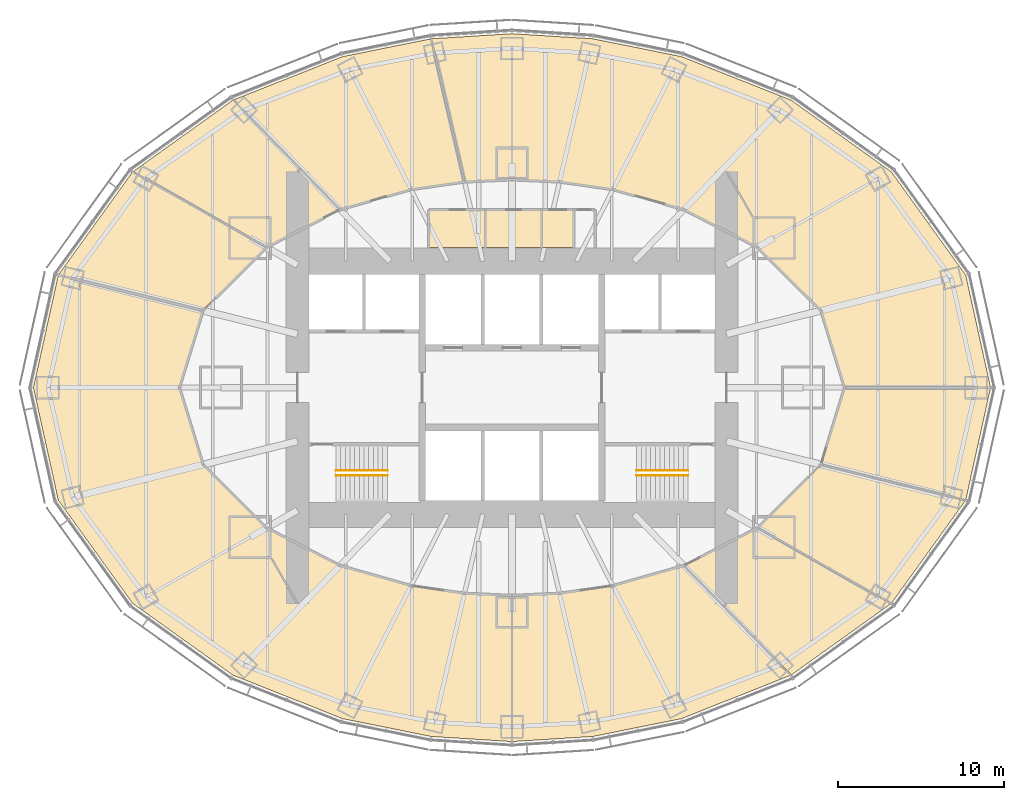
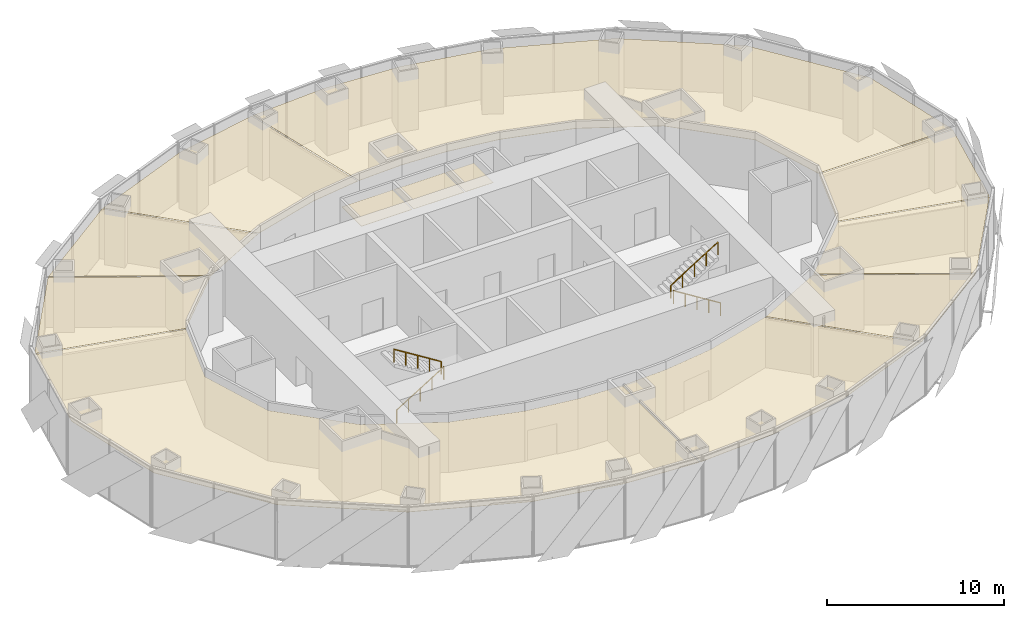
# One storey, part 18 of 18: 12 coverings, 4 railings.
"""IFC4 building model written with IfcOpenShell, lengths in metres."""

from ifc_helpers import new_model, si_unit, direction, frame, origin, origin_2d, place, context, subcontext, project, spatial, polyline, circle, outline, extrude, material, layer, layer_set, type_object, element, save


model = new_model("IFC4")

# Units and contexts
model_context = context("Model", 3, precision=1e-05, world=origin(), true_north=direction((0.0, 1.0)))
body_context = subcontext(model_context, "Body", "Model", "MODEL_VIEW")
ifc_project = project(units=[si_unit("LENGTHUNIT", "METRE"), si_unit("AREAUNIT", "SQUARE_METRE"), si_unit("VOLUMEUNIT", "CUBIC_METRE"), si_unit("PLANEANGLEUNIT", "RADIAN"), si_unit("MASSUNIT", "GRAM", prefix="KILO")], contexts=[model_context])

# Site, building, storey
site_placement = place(None, origin())
site = spatial("IfcSite", under=ifc_project, at=site_placement, CompositionType="ELEMENT")
building_placement = place(site_placement, origin())
building = spatial("IfcBuilding", under=site, at=building_placement, Name="Lantaw Convention Tower", CompositionType="ELEMENT")
storey_placement = place(building_placement, frame((0.0, 0.0, 130.0)))
storey = spatial("IfcBuildingStorey", under=building, at=storey_placement, Name="L30", CompositionType="ELEMENT", Elevation=130.0)

# Railings
ifc_material_1 = material(Name="Stainless steel", Category="steel")
railing_type = type_object("IfcRailingType", Name="Stair handrail", PredefinedType="HANDRAIL", material=ifc_material_1)
railing_1_placement = place(storey_placement, frame((-10.580078125, -5.280029296875, 0.175048828125)))
element("IfcRailing", 1, at=railing_1_placement, inside=storey, type_object=railing_type, Name="Stair handrail S1", PredefinedType="HANDRAIL", context=body_context, shape_type="SweptSolid", body=[
    extrude(circle(Radius=0.02392578125, at=origin_2d()), frame((0.0, 0.0, 0.8759765625), z_axis=(0.847998304005, 0.0, 0.529998940003), x_axis=(0.0, 1.0, 0.0)), (0.0, 0.0, 1.0), 3.632080078125),
    extrude(circle(Radius=0.02099609375, at=origin_2d()), origin(), (0.0, 0.0, 1.0), 0.851806640625),
    extrude(circle(Radius=0.02099609375, at=origin_2d()), frame((0.77001953125, 0.0, 0.481201171875)), (0.0, 0.0, 1.0), 0.851806640625),
    extrude(circle(Radius=0.02099609375, at=origin_2d()), frame((1.5400390625, 0.0, 0.96240234375)), (0.0, 0.0, 1.0), 0.851806640625),
    extrude(circle(Radius=0.02099609375, at=origin_2d()), frame((2.31005859375, 0.0, 1.44384765625)), (0.0, 0.0, 1.0), 0.851806640625),
    extrude(circle(Radius=0.02099609375, at=origin_2d()), frame((3.080078125, 0.0, 1.925048828125)), (0.0, 0.0, 1.0), 0.851806640625),
])
for number, where, name in (
    (2, (-7.5, -4.97998046875, 2.27490234375), "Stair handrail S1"),
    (3, (10.580078125, -5.280029296875, 0.175048828125), "Stair handrail S2"),
):
    element("IfcRailing", number, at=place(storey_placement, frame(where)), inside=storey, type_object=railing_type, Name=name, PredefinedType="HANDRAIL", context=body_context, shape_type="SweptSolid", body=[
        extrude(circle(Radius=0.02392578125, at=origin_2d()), frame((0.0, 0.0, 0.8759765625), z_axis=(-0.847998304005, 0.0, 0.529998940003), x_axis=(0.0, -1.0, 0.0)), (0.0, 0.0, 1.0), 3.632080078125),
        extrude(circle(Radius=0.02099609375, at=origin_2d()), origin(), (0.0, 0.0, 1.0), 0.851806640625),
        extrude(circle(Radius=0.02099609375, at=origin_2d()), frame((-0.77001953125, 0.0, 0.481201171875)), (0.0, 0.0, 1.0), 0.851806640625),
        extrude(circle(Radius=0.02099609375, at=origin_2d()), frame((-1.5400390625, 0.0, 0.96240234375)), (0.0, 0.0, 1.0), 0.851806640625),
        extrude(circle(Radius=0.02099609375, at=origin_2d()), frame((-2.31005859375, 0.0, 1.44384765625)), (0.0, 0.0, 1.0), 0.851806640625),
        extrude(circle(Radius=0.02099609375, at=origin_2d()), frame((-3.080078125, 0.0, 1.925048828125)), (0.0, 0.0, 1.0), 0.851806640625),
    ])
railing_2_placement = place(storey_placement, frame((7.5, -4.97998046875, 2.27490234375)))
element("IfcRailing", 4, at=railing_2_placement, inside=storey, type_object=railing_type, Name="Stair handrail S2", PredefinedType="HANDRAIL", context=body_context, shape_type="SweptSolid", body=[
    extrude(circle(Radius=0.02392578125, at=origin_2d()), frame((0.0, 0.0, 0.8759765625), z_axis=(0.847998304005, 0.0, 0.529998940003), x_axis=(0.0, 1.0, 0.0)), (0.0, 0.0, 1.0), 3.632080078125),
    extrude(circle(Radius=0.02099609375, at=origin_2d()), origin(), (0.0, 0.0, 1.0), 0.851806640625),
    extrude(circle(Radius=0.02099609375, at=origin_2d()), frame((0.77001953125, 0.0, 0.481201171875)), (0.0, 0.0, 1.0), 0.851806640625),
    extrude(circle(Radius=0.02099609375, at=origin_2d()), frame((1.5400390625, 0.0, 0.96240234375)), (0.0, 0.0, 1.0), 0.851806640625),
    extrude(circle(Radius=0.02099609375, at=origin_2d()), frame((2.31005859375, 0.0, 1.44384765625)), (0.0, 0.0, 1.0), 0.851806640625),
    extrude(circle(Radius=0.02099609375, at=origin_2d()), frame((3.080078125, 0.0, 1.925048828125)), (0.0, 0.0, 1.0), 0.851806640625),
])

# Coverings
ifc_material_2 = material(Name="Gypsum board on steel suspension grid", Category="steel")
ifc_layer = layer(ifc_material_2, 0.02001953125)
ifc_layer_set = layer_set([ifc_layer], Name="Suspended ceiling")
covering_type = type_object("IfcCoveringType", Name="Suspended ceiling", PredefinedType="CEILING", material=ifc_layer_set)
covering_1_placement = place(storey_placement, frame((0.0, 0.0, 3.449951171875)))
element("IfcCovering", 5, at=covering_1_placement, inside=storey, type_object=covering_type, Name="Male WC ceiling", PredefinedType="CEILING", context=body_context, shape_type="SweptSolid", body=[
    extrude(outline(polyline([(-4.9599609375, 8.43994140625), (-1.639892578125, 8.43994140625), (-1.639892578125, 10.659912109375), (-4.9599609375, 10.659912109375), (-4.9599609375, 8.43994140625)])), origin(), (0.0, 0.0, 1.0), 0.02001953125),
])
covering_2_placement = place(storey_placement, frame((0.0, 0.0, 3.449951171875)))
element("IfcCovering", 6, at=covering_2_placement, inside=storey, type_object=covering_type, Name="Female WC ceiling", PredefinedType="CEILING", context=body_context, shape_type="SweptSolid", body=[
    extrude(outline(polyline([(-1.56005859375, 8.43994140625), (1.760009765625, 8.43994140625), (1.760009765625, 10.659912109375), (-1.56005859375, 10.659912109375), (-1.56005859375, 8.43994140625)])), origin(), (0.0, 0.0, 1.0), 0.02001953125),
])
covering_3_placement = place(storey_placement, frame((0.0, 0.0, 3.449951171875)))
element("IfcCovering", 7, at=covering_3_placement, inside=storey, type_object=covering_type, Name="Accessible WC ceiling", PredefinedType="CEILING", context=body_context, shape_type="SweptSolid", body=[
    extrude(outline(polyline([(1.840087890625, 8.43994140625), (3.659912109375, 8.43994140625), (3.659912109375, 10.659912109375), (1.840087890625, 10.659912109375), (1.840087890625, 8.43994140625)])), origin(), (0.0, 0.0, 1.0), 0.02001953125),
])
covering_4_placement = place(storey_placement, frame((0.0, 0.0, 3.449951171875)))
element("IfcCovering", 8, at=covering_4_placement, inside=storey, type_object=covering_type, Name="Contact-centre floor ceiling", PredefinedType="CEILING", context=body_context, shape_type="SweptSolid", body=[
    extrude(outline(polyline([(20.029541015625, 0.0400390625), (28.77099609375, 0.0400390625), (27.286865234375, 6.763671875), (22.815185546875, 12.970947265625), (16.778076171875, 17.29150390625), (10.1865234375, 19.90576171875), (4.864501953125, 20.978271484375), (0.0, 21.28466796875), (-4.820068359375, 20.98095703125), (-2.824951171875, 12.413330078125), (0.0, 12.5400390625), (2.860107421875, 12.41162109375), (6.0771484375, 11.949951171875), (10.349365234375, 10.7392578125), (14.784423828125, 8.46728515625), (18.61181640625, 4.65283203125), (20.029541015625, 0.0400390625)])), origin(), (0.0, 0.0, 1.0), 0.02001953125),
])
covering_5_placement = place(storey_placement, frame((0.0, 0.0, 3.449951171875)))
element("IfcCovering", 9, at=covering_5_placement, inside=storey, type_object=covering_type, Name="Training room ceiling", PredefinedType="CEILING", context=body_context, shape_type="SweptSolid", body=[
    extrude(outline(polyline([(-2.905029296875, 12.4052734375), (-4.89990234375, 20.970947265625), (-10.1865234375, 19.90576171875), (-16.726806640625, 17.311767578125), (-10.32275390625, 10.746826171875), (-6.0771484375, 11.949951171875), (-2.905029296875, 12.4052734375)])), origin(), (0.0, 0.0, 1.0), 0.02001953125),
])
covering_6_placement = place(storey_placement, frame((0.0, 0.0, 3.449951171875)))
element("IfcCovering", 10, at=covering_6_placement, inside=storey, type_object=covering_type, Name="Quiet room ceiling", PredefinedType="CEILING", context=body_context, shape_type="SweptSolid", body=[
    extrude(outline(polyline([(-10.401123046875, 10.712646484375), (-16.802001953125, 17.274169921875), (-22.76953125, 13.003662109375), (-14.759765625, 8.47998046875), (-10.401123046875, 10.712646484375)])), origin(), (0.0, 0.0, 1.0), 0.02001953125),
])
covering_7_placement = place(storey_placement, frame((0.0, 0.0, 3.449951171875)))
element("IfcCovering", 11, at=covering_7_placement, inside=storey, type_object=covering_type, Name="24-hour pantry ceiling", PredefinedType="CEILING", context=body_context, shape_type="SweptSolid", body=[
    extrude(outline(polyline([(-14.826171875, 8.42578125), (-22.832275390625, 12.947265625), (-27.257080078125, 6.80517578125), (-18.588623046875, 4.67578125), (-14.826171875, 8.42578125)])), origin(), (0.0, 0.0, 1.0), 0.02001953125),
])
covering_8_placement = place(storey_placement, frame((0.0, 0.0, 3.449951171875)))
element("IfcCovering", 12, at=covering_8_placement, inside=storey, type_object=covering_type, Name="Contact-centre floor ceiling", PredefinedType="CEILING", context=body_context, shape_type="SweptSolid", body=[
    extrude(outline(polyline([(-18.627197265625, 4.602783203125), (-27.2939453125, 6.731689453125), (-28.77978515625, 0.0), (-27.286865234375, -6.763671875), (-22.815185546875, -12.970947265625), (-16.778076171875, -17.29150390625), (-10.1865234375, -19.90576171875), (-4.864501953125, -20.978271484375), (-0.0400390625, -21.281982421875), (-0.0400390625, -12.538330078125), (-2.860107421875, -12.41162109375), (-6.0771484375, -11.949951171875), (-10.349365234375, -10.7392578125), (-14.784423828125, -8.46728515625), (-18.61181640625, -4.65283203125), (-20.041748046875, 0.0), (-18.627197265625, 4.602783203125)])), origin(), (0.0, 0.0, 1.0), 0.02001953125),
])
covering_9_placement = place(storey_placement, frame((0.0, 0.0, 3.449951171875)))
element("IfcCovering", 13, at=covering_9_placement, inside=storey, type_object=covering_type, Name="Training room ceiling", PredefinedType="CEILING", context=body_context, shape_type="SweptSolid", body=[
    extrude(outline(polyline([(0.0400390625, -12.538330078125), (0.0400390625, -21.281982421875), (4.864501953125, -20.978271484375), (10.1865234375, -19.90576171875), (16.726806640625, -17.311767578125), (10.32275390625, -10.746826171875), (6.0771484375, -11.949951171875), (2.860107421875, -12.41162109375), (0.0400390625, -12.538330078125)])), origin(), (0.0, 0.0, 1.0), 0.02001953125),
])
covering_10_placement = place(storey_placement, frame((0.0, 0.0, 3.449951171875)))
element("IfcCovering", 14, at=covering_10_placement, inside=storey, type_object=covering_type, Name="Nap room ceiling", PredefinedType="CEILING", context=body_context, shape_type="SweptSolid", body=[
    extrude(outline(polyline([(10.401123046875, -10.712646484375), (16.802001953125, -17.274169921875), (22.76953125, -13.003662109375), (14.759765625, -8.47998046875), (10.401123046875, -10.712646484375)])), origin(), (0.0, 0.0, 1.0), 0.02001953125),
])
covering_11_placement = place(storey_placement, frame((0.0, 0.0, 3.449951171875)))
element("IfcCovering", 15, at=covering_11_placement, inside=storey, type_object=covering_type, Name="24-hour pantry ceiling", PredefinedType="CEILING", context=body_context, shape_type="SweptSolid", body=[
    extrude(outline(polyline([(14.826171875, -8.42578125), (22.832275390625, -12.947265625), (27.257080078125, -6.80517578125), (18.588623046875, -4.67578125), (14.826171875, -8.42578125)])), origin(), (0.0, 0.0, 1.0), 0.02001953125),
])
covering_12_placement = place(storey_placement, frame((0.0, 0.0, 3.449951171875)))
element("IfcCovering", 16, at=covering_12_placement, inside=storey, type_object=covering_type, Name="Quiet room ceiling", PredefinedType="CEILING", context=body_context, shape_type="SweptSolid", body=[
    extrude(outline(polyline([(18.627197265625, -4.602783203125), (27.2939453125, -6.731689453125), (28.77099609375, -0.0400390625), (20.029541015625, -0.0400390625), (18.627197265625, -4.602783203125)])), origin(), (0.0, 0.0, 1.0), 0.02001953125),
])

save(model, "model.ifc")
